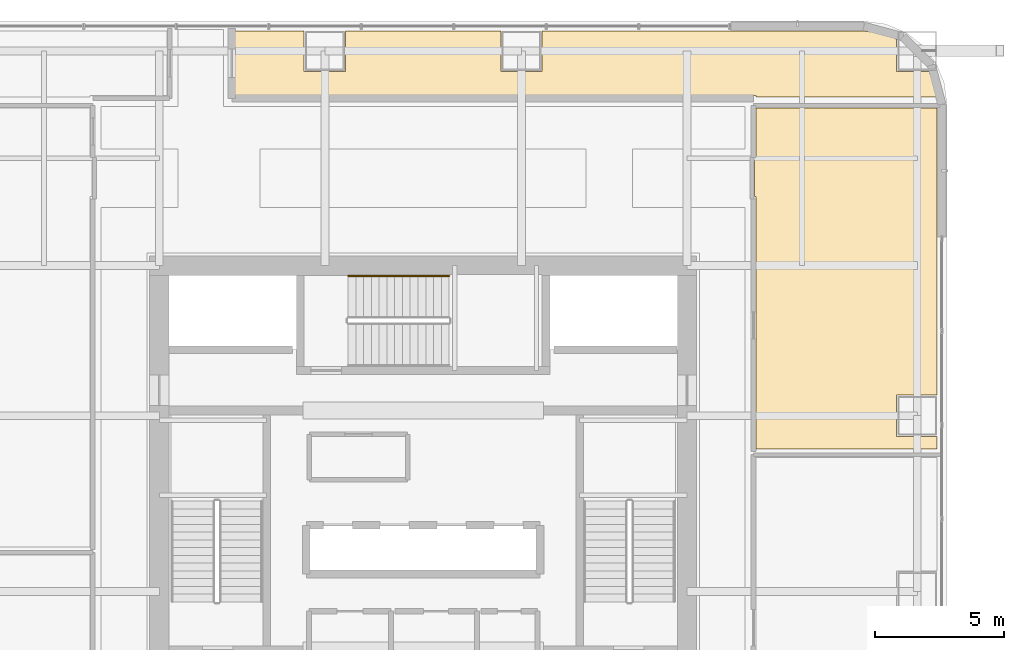
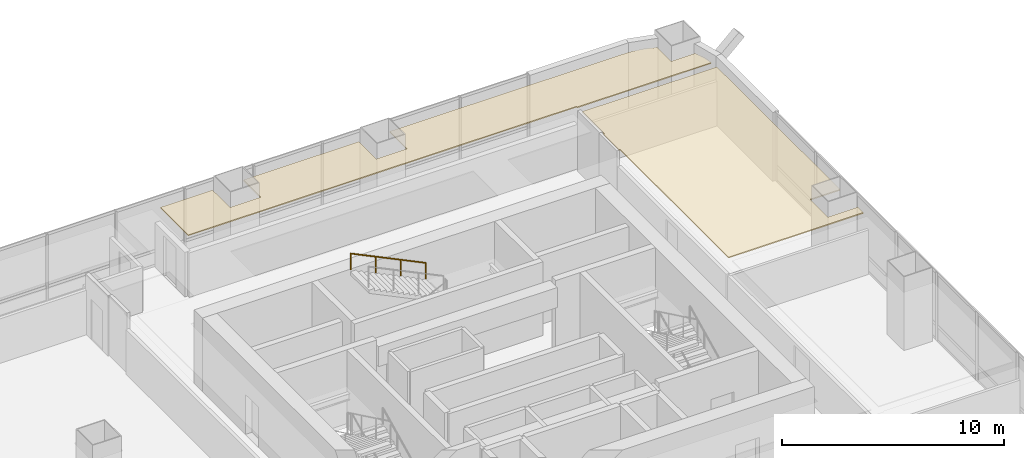
# One storey, part 44 of 45: 2 coverings, 1 railing.
"""IFC4 building model written with IfcOpenShell, lengths in metres."""

from ifc_helpers import new_model, si_unit, direction, frame, origin, origin_2d, place, context, subcontext, project, spatial, polyline, circle, outline, extrude, material, layer, layer_set, type_object, element, save


model = new_model("IFC4")

# Units and contexts
model_context = context("Model", 3, precision=1e-05, world=origin(), true_north=direction((0.0, 1.0)))
body_context = subcontext(model_context, "Body", "Model", "MODEL_VIEW")
ifc_project = project(units=[si_unit("LENGTHUNIT", "METRE"), si_unit("AREAUNIT", "SQUARE_METRE"), si_unit("VOLUMEUNIT", "CUBIC_METRE"), si_unit("PLANEANGLEUNIT", "RADIAN"), si_unit("MASSUNIT", "GRAM", prefix="KILO")], contexts=[model_context])

# Site, building, storey
site_placement = place(None, origin())
site = spatial("IfcSite", under=ifc_project, at=site_placement, CompositionType="ELEMENT")
building_placement = place(site_placement, origin())
building = spatial("IfcBuilding", under=site, at=building_placement, Name="Punatoya Terracotta Tower", CompositionType="ELEMENT")
storey_placement = place(building_placement, frame((0.0, 0.0, 56.550048828125)))
storey = spatial("IfcBuildingStorey", under=building, at=storey_placement, Name="L12", CompositionType="ELEMENT", Elevation=56.550048828125)

# Coverings
ifc_material_1 = material(Name="Acoustic Mineral Fibre Ceiling")
ifc_layer = layer(ifc_material_1, 0.06005859375)
ifc_layer_set = layer_set([ifc_layer], Name="Acoustic Mineral Fibre Ceiling")
covering_type = type_object("IfcCoveringType", Name="COV-CEIL-60", PredefinedType="CEILING", material=ifc_layer_set)
covering_1_placement = place(storey_placement, frame((0.0, 0.0, 3.199951171875)))
element("IfcCovering", 1, at=covering_1_placement, inside=storey, type_object=covering_type, Name="L12 Open-Plan Mindfulness Wellness Room Acoustic Ceiling", PredefinedType="CEILING", context=body_context, shape_type="SweptSolid", body=[
    extrude(outline(polyline([(12.81005859375, 11.8701171875), (12.8701171875, 11.8701171875), (12.8701171875, 2.110107421875), (19.8701171875, 2.110107421875), (19.8701171875, 2.60009765625), (18.300048828125, 2.60009765625), (18.300048828125, 4.199951171875), (19.8701171875, 4.199951171875), (19.8701171875, 15.2900390625), (12.8701171875, 15.2900390625), (12.8701171875, 13.280029296875), (12.81005859375, 13.280029296875), (12.81005859375, 11.8701171875)])), origin(), (0.0, 0.0, 1.0), 0.06005859375),
])
covering_2_placement = place(storey_placement, frame((0.0, 0.0, 3.199951171875)))
element("IfcCovering", 2, at=covering_2_placement, inside=storey, type_object=covering_type, Name="L12 Open-Plan Fitness Movement Lounge Acoustic Ceiling", PredefinedType="CEILING", context=body_context, shape_type="SweptSolid", body=[
    extrude(outline(polyline([(4.60009765625, 18.27001953125), (4.60009765625, 16.699951171875), (3.0, 16.699951171875), (3.0, 18.27001953125), (-3.0, 18.27001953125), (-3.0, 16.699951171875), (-4.60009765625, 16.699951171875), (-4.60009765625, 18.27001953125), (-7.300048828125, 18.27001953125), (-7.300048828125, 15.77001953125), (12.8701171875, 15.77001953125), (12.8701171875, 15.7099609375), (19.83251953125, 15.7099609375), (19.770751953125, 16.178955078125), (19.554931640625, 16.699951171875), (18.300048828125, 16.699951171875), (18.300048828125, 17.955078125), (17.779052734375, 18.1708984375), (17.025146484375, 18.27001953125), (4.60009765625, 18.27001953125)])), origin(), (0.0, 0.0, 1.0), 0.06005859375),
])

# Railing
ifc_material_2 = material(Name="Steel S355", Category="steel")
railing_type = type_object("IfcRailingType", Name="RLG-HND-900", PredefinedType="HANDRAIL", material=ifc_material_2)
railing_placement = place(storey_placement, frame((1.0, 8.800048828125, 2.169677734375)))
element("IfcRailing", 3, at=railing_placement, inside=storey, type_object=railing_type, Name="L12 ST-3 stair handrail 2", PredefinedType="HANDRAIL", context=body_context, shape_type="SweptSolid", body=[
    extrude(circle(Radius=0.02392578125, at=origin_2d()), frame((0.0, 0.0, 0.8759765625), z_axis=(-0.900763166376, 0.0, 0.434310623978), x_axis=(0.0, -1.0, 0.0)), (0.0, 0.0, 1.0), 4.32958984375),
    extrude(circle(Radius=0.02099609375, at=origin_2d()), origin(), (0.0, 0.0, 1.0), 0.851806640625),
    extrude(circle(Radius=0.02099609375, at=origin_2d()), frame((-1.300048828125, 0.0, 0.626708984375)), (0.0, 0.0, 1.0), 0.851806640625),
    extrude(circle(Radius=0.02099609375, at=origin_2d()), frame((-2.599853515625, 0.0, 1.253662109375)), (0.0, 0.0, 1.0), 0.851806640625),
    extrude(circle(Radius=0.02099609375, at=origin_2d()), frame((-3.89990234375, 0.0, 1.88037109375)), (0.0, 0.0, 1.0), 0.851806640625),
])

save(model, "model.ifc")
